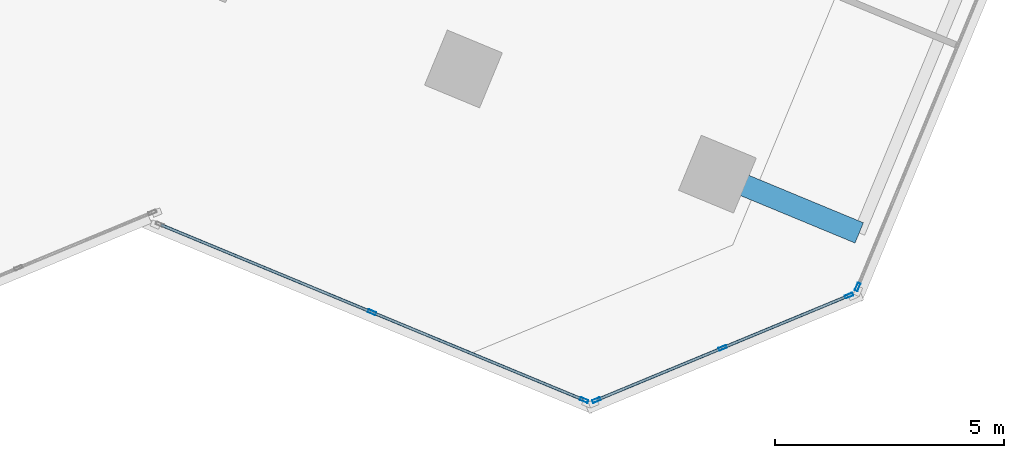
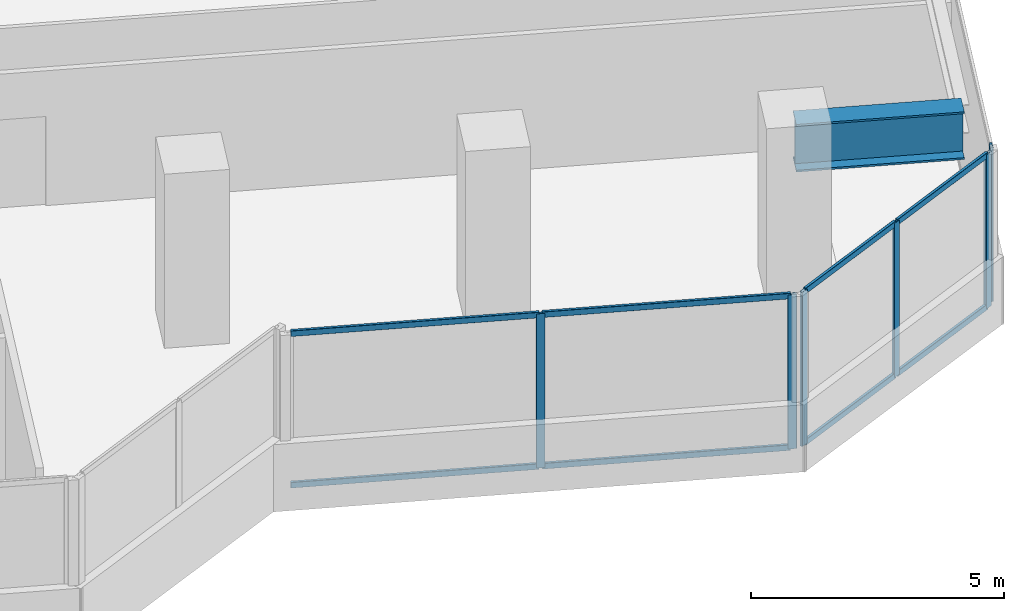
# One storey, part 7 of 24: 14 members, 1 beam, 3 elements without a shape of their own.
"""IFC4 building model written with IfcOpenShell, lengths in metres."""

from ifc_helpers import new_model, si_unit, direction, frame, origin, origin_2d, place, context, subcontext, project, spatial, hollow_rectangle, i_section, extrude, source, transform, mapped, material, material_profile, profile_set, type_object, element, aggregate, save


model = new_model("IFC4")

# Units and contexts
model_context = context("Model", 3, precision=1e-05, world=origin(), true_north=direction((0.0, 1.0)))
body_context = subcontext(model_context, "Body", "Model", "MODEL_VIEW")
ifc_project = project(units=[si_unit("LENGTHUNIT", "METRE"), si_unit("AREAUNIT", "SQUARE_METRE"), si_unit("VOLUMEUNIT", "CUBIC_METRE"), si_unit("PLANEANGLEUNIT", "RADIAN"), si_unit("MASSUNIT", "GRAM", prefix="KILO")], contexts=[model_context])

# Site, building, storey
site_placement = place(None, origin())
site = spatial("IfcSite", under=ifc_project, at=site_placement, CompositionType="ELEMENT")
building_placement = place(site_placement, origin())
building = spatial("IfcBuilding", under=site, at=building_placement, Name="Torre Montelarca", CompositionType="ELEMENT")
storey_placement = place(building_placement, frame((0.0, 0.0, 141.39990234375)))
storey = spatial("IfcBuildingStorey", under=building, at=storey_placement, Name="L31", CompositionType="ELEMENT", Elevation=141.39990234375)

# Beam
ifc_material_1 = material(Name="Steel ASTM A572 Grade 50", Category="steel")
ifc_material_profile_1 = material_profile(ifc_material_1, i_section(OverallWidth=0.47998046875, OverallDepth=1.14990234375, WebThickness=0.02197265625, FlangeThickness=0.044921875, at=origin_2d()), Name="PG1150X480X22X45", Category="steel")
ifc_profile_set_1 = profile_set([ifc_material_profile_1], Name="Steel ASTM A572 Grade 50")
beam_type = type_object("IfcBeamType", Name="BM-CG-PG1400-EXT", PredefinedType="USERDEFINED", material=ifc_profile_set_1)
shared_shape_1 = source(origin(), body_context, "Body", "SweptSolid", [
    extrude(i_section(OverallWidth=0.47998046875, OverallDepth=1.14990234375, WebThickness=0.02197265625, FlangeThickness=0.044921875, at=origin_2d()), origin(), (0.0, 0.0, 1.0), 3.35009765625),
])
beam_placement = place(storey_placement, frame((42.92138671875, 14.468017578125, 3.385009765625), z_axis=(0.9238533867, -0.382746547839, 0.0), x_axis=(0.382746547839, 0.9238533867, 0.0)))
element("IfcBeam", 1, at=beam_placement, inside=storey, type_object=beam_type, Name="L31 Sliding Tray Cantilever Girder East Y=24m (FLR)", ObjectType="CANTILEVER GIRDER", PredefinedType="USERDEFINED", context=body_context, shape_type="MappedRepresentation", body=[
    mapped(shared_shape_1, transform((0.0, 0.0, 0.0), scale=1.0)),
])

# Curtain wall, members
ifc_material_2 = material(Name="Insulated low-E laminated glass", Category="glass")
curtain_wall_type = type_object("IfcCurtainWallType", Name="CW-SYS-Z2", PredefinedType="USERDEFINED", material=ifc_material_2)
curtain_wall_1_placement = place(storey_placement, origin())
curtain_wall_1 = element("IfcCurtainWall", 2, at=curtain_wall_1_placement, inside=storey, type_object=curtain_wall_type, Name="L31 Curtain Wall Run CW-T3-L31-E05-B1", ObjectType="UNITISED GLAZING", PredefinedType="USERDEFINED")
ifc_material_3 = material(Name="Anodised aluminium AA 6063-T6", Category="aluminium")
ifc_material_profile_2 = material_profile(ifc_material_3, hollow_rectangle(XDim=0.06494140625, YDim=0.139892578125, WallThickness=0.00390625, InnerFilletRadius=0.00390625, OuterFilletRadius=0.008056640625, at=origin_2d()), Name="ALU65X140X4", Category="aluminium")
ifc_profile_set_2 = profile_set([ifc_material_profile_2], Name="Anodised aluminium AA 6063-T6")
member_type_1 = type_object("IfcMemberType", Name="CWT-ALU140", PredefinedType="USERDEFINED", material=ifc_profile_set_2)
shared_shape_2 = source(origin(), body_context, "Body", "SweptSolid", [
    extrude(hollow_rectangle(XDim=0.06494140625, YDim=0.139892578125, WallThickness=0.00390625, InnerFilletRadius=0.00390625, OuterFilletRadius=0.008056640625, at=origin_2d()), origin(), (0.0, 0.0, 1.0), 2.918701171875),
])
member_1_placement = place(storey_placement, frame((43.0673828125, 10.689208984375, 0.03271484375), z_axis=(0.923908773038, 0.382612831859, 0.0), x_axis=(-0.382612831859, 0.923908773038, 0.0)))
member_1 = element("IfcMember", 3, at=member_1_placement, type_object=member_type_1, Name="CW transom 2.1", ObjectType="TRANSOM", PredefinedType="USERDEFINED", context=body_context, shape_type="MappedRepresentation", body=[
    mapped(shared_shape_2, transform((0.0, 0.0, 0.0), scale=1.0)),
])
member_2_placement = place(storey_placement, frame((43.0673828125, 10.689208984375, 3.6875), z_axis=(0.923908773038, 0.382612831859, 0.0), x_axis=(-0.382612831859, 0.923908773038, 0.0)))
member_2 = element("IfcMember", 4, at=member_2_placement, type_object=member_type_1, Name="CW transom 2.2", ObjectType="TRANSOM", PredefinedType="USERDEFINED", context=body_context, shape_type="MappedRepresentation", body=[
    mapped(shared_shape_2, transform((0.0, 0.0, 0.0), scale=1.0)),
])
shared_shape_3 = source(origin(), body_context, "Body", "SweptSolid", [
    extrude(hollow_rectangle(XDim=0.06494140625, YDim=0.139892578125, WallThickness=0.00390625, InnerFilletRadius=0.00390625, OuterFilletRadius=0.008056640625, at=origin_2d()), origin(), (0.0, 0.0, 1.0), 2.91845703125),
])
member_3_placement = place(storey_placement, frame((40.31103515625, 9.54736328125, 0.03271484375), z_axis=(0.923866949915, 0.382713808028, 0.0), x_axis=(-0.382713808028, 0.923866949915, 0.0)))
member_3 = element("IfcMember", 5, at=member_3_placement, type_object=member_type_1, Name="CW transom 1.1", ObjectType="TRANSOM", PredefinedType="USERDEFINED", context=body_context, shape_type="MappedRepresentation", body=[
    mapped(shared_shape_3, transform((0.0, 0.0, 0.0), scale=1.0)),
])
member_4_placement = place(storey_placement, frame((40.31103515625, 9.54736328125, 3.6875), z_axis=(0.923866949915, 0.382713808028, 0.0), x_axis=(-0.382713808028, 0.923866949915, 0.0)))
member_4 = element("IfcMember", 6, at=member_4_placement, type_object=member_type_1, Name="CW transom 1.2", ObjectType="TRANSOM", PredefinedType="USERDEFINED", context=body_context, shape_type="MappedRepresentation", body=[
    mapped(shared_shape_3, transform((0.0, 0.0, 0.0), scale=1.0)),
])

curtain_wall_2_placement = place(storey_placement, origin())
curtain_wall_2 = element("IfcCurtainWall", 7, at=curtain_wall_2_placement, inside=storey, type_object=curtain_wall_type, Name="L31 Curtain Wall Run CW-T3-L31-E04-B1", ObjectType="UNITISED GLAZING", PredefinedType="USERDEFINED")
ifc_material_profile_3 = material_profile(ifc_material_3, hollow_rectangle(XDim=0.06494140625, YDim=0.179931640625, WallThickness=0.00390625, InnerFilletRadius=0.00390625, OuterFilletRadius=0.008056640625, at=origin_2d()), Name="ALU65X180X4", Category="aluminium")
ifc_profile_set_3 = profile_set([ifc_material_profile_3], Name="Anodised aluminium AA 6063-T6")
member_type_2 = type_object("IfcMemberType", Name="CWM-ALU180", PredefinedType="MULLION", material=ifc_profile_set_3)
shared_shape_4 = source(origin(), body_context, "Body", "SweptSolid", [
    extrude(hollow_rectangle(XDim=0.06494140625, YDim=0.179931640625, WallThickness=0.00390625, InnerFilletRadius=0.00390625, OuterFilletRadius=0.008056640625, at=origin_2d()), origin(), (0.0, 0.0, 1.0), 3.72021484375),
])
member_5_placement = place(storey_placement, frame((35.382080078125, 11.45361328125, 0.0), z_axis=(0.0, 0.0, 1.0), x_axis=(0.382671218228, 0.923884591678, 0.0)))
member_5 = element("IfcMember", 8, at=member_5_placement, type_object=member_type_2, Name="CW mullion 2", PredefinedType="MULLION", context=body_context, shape_type="MappedRepresentation", body=[
    mapped(shared_shape_4, transform((0.0, 0.0, 0.0), scale=1.0)),
])
member_6_placement = place(storey_placement, frame((40.013916015625, 9.53515625, 0.0), z_axis=(0.0, 0.0, 1.0), x_axis=(0.382671218228, 0.923884591678, 0.0)))
member_6 = element("IfcMember", 9, at=member_6_placement, type_object=member_type_2, Name="CW mullion 3", PredefinedType="MULLION", context=body_context, shape_type="MappedRepresentation", body=[
    mapped(shared_shape_4, transform((0.0, 0.0, 0.0), scale=1.0)),
])

# Member
member_7_placement = place(storey_placement, frame((40.281005859375, 9.53515625, 0.0), z_axis=(0.0, 0.0, 1.0), x_axis=(-0.382661697384, 0.923888535136, 0.0)))
member_7 = element("IfcMember", 10, at=member_7_placement, type_object=member_type_2, Name="CW mullion 1", PredefinedType="MULLION", context=body_context, shape_type="MappedRepresentation", body=[
    mapped(shared_shape_4, transform((0.0, 0.0, 0.0), scale=1.0)),
])

member_8_placement = place(storey_placement, frame((43.037353515625, 10.6767578125, 0.0), z_axis=(0.0, 0.0, 1.0), x_axis=(-0.382661697384, 0.923888535136, 0.0)))
member_8 = element("IfcMember", 11, at=member_8_placement, type_object=member_type_2, Name="CW mullion 2", PredefinedType="MULLION", context=body_context, shape_type="MappedRepresentation", body=[
    mapped(shared_shape_4, transform((0.0, 0.0, 0.0), scale=1.0)),
])

member_9_placement = place(storey_placement, frame((45.7939453125, 11.818359375, 0.0), z_axis=(0.0, 0.0, 1.0), x_axis=(-0.382661697384, 0.923888535136, 0.0)))
member_9 = element("IfcMember", 12, at=member_9_placement, type_object=member_type_2, Name="CW mullion 3", PredefinedType="MULLION", context=body_context, shape_type="MappedRepresentation", body=[
    mapped(shared_shape_4, transform((0.0, 0.0, 0.0), scale=1.0)),
])

aggregate(curtain_wall_1, [member_7, member_8, member_9, member_3, member_4, member_1, member_2])

# Curtain wall, member
curtain_wall_3_placement = place(storey_placement, origin())
curtain_wall_3 = element("IfcCurtainWall", 13, at=curtain_wall_3_placement, inside=storey, type_object=curtain_wall_type, Name="L31 Curtain Wall Run CW-T3-L31-E06-B1", ObjectType="UNITISED GLAZING", PredefinedType="USERDEFINED")
member_10_placement = place(storey_placement, frame((45.98291015625, 12.00732421875, 0.0), z_axis=(0.0, 0.0, 1.0), x_axis=(-0.923881379508, 0.38267897329, 0.0)))
member_10 = element("IfcMember", 14, at=member_10_placement, type_object=member_type_2, Name="CW mullion 1", PredefinedType="MULLION", context=body_context, shape_type="MappedRepresentation", body=[
    mapped(shared_shape_4, transform((0.0, 0.0, 0.0), scale=1.0)),
])
aggregate(curtain_wall_3, [member_10])

# Member
shared_shape_5 = source(origin(), body_context, "Body", "SweptSolid", [
    extrude(hollow_rectangle(XDim=0.06494140625, YDim=0.139892578125, WallThickness=0.00390625, InnerFilletRadius=0.00390625, OuterFilletRadius=0.008056640625, at=origin_2d()), origin(), (0.0, 0.0, 1.0), 4.948486328125),
])
member_11_placement = place(storey_placement, frame((30.7802734375, 13.359619140625, 0.03271484375), z_axis=(0.923889355762, -0.382659716079, 0.0), x_axis=(0.382659716079, 0.923889355762, 0.0)))
member_11 = element("IfcMember", 15, at=member_11_placement, type_object=member_type_1, Name="CW transom 1.1", ObjectType="TRANSOM", PredefinedType="USERDEFINED", context=body_context, shape_type="MappedRepresentation", body=[
    mapped(shared_shape_5, transform((0.0, 0.0, 0.0), scale=1.0)),
])

member_12_placement = place(storey_placement, frame((30.7802734375, 13.359619140625, 3.6875), z_axis=(0.923889355762, -0.382659716079, 0.0), x_axis=(0.382659716079, 0.923889355762, 0.0)))
member_12 = element("IfcMember", 16, at=member_12_placement, type_object=member_type_1, Name="CW transom 1.2", ObjectType="TRANSOM", PredefinedType="USERDEFINED", context=body_context, shape_type="MappedRepresentation", body=[
    mapped(shared_shape_5, transform((0.0, 0.0, 0.0), scale=1.0)),
])

member_13_placement = place(storey_placement, frame((35.412109375, 11.441162109375, 0.03271484375), z_axis=(0.923871912675, -0.382701827759, 0.0), x_axis=(0.382701827759, 0.923871912675, 0.0)))
member_13 = element("IfcMember", 17, at=member_13_placement, type_object=member_type_1, Name="CW transom 2.1", ObjectType="TRANSOM", PredefinedType="USERDEFINED", context=body_context, shape_type="MappedRepresentation", body=[
    mapped(shared_shape_5, transform((0.0, 0.0, 0.0), scale=1.0)),
])

member_14_placement = place(storey_placement, frame((35.412109375, 11.441162109375, 3.6875), z_axis=(0.923871912675, -0.382701827759, 0.0), x_axis=(0.382701827759, 0.923871912675, 0.0)))
member_14 = element("IfcMember", 18, at=member_14_placement, type_object=member_type_1, Name="CW transom 2.2", ObjectType="TRANSOM", PredefinedType="USERDEFINED", context=body_context, shape_type="MappedRepresentation", body=[
    mapped(shared_shape_5, transform((0.0, 0.0, 0.0), scale=1.0)),
])

aggregate(curtain_wall_2, [member_5, member_6, member_11, member_12, member_13, member_14])

save(model, "model.ifc")
